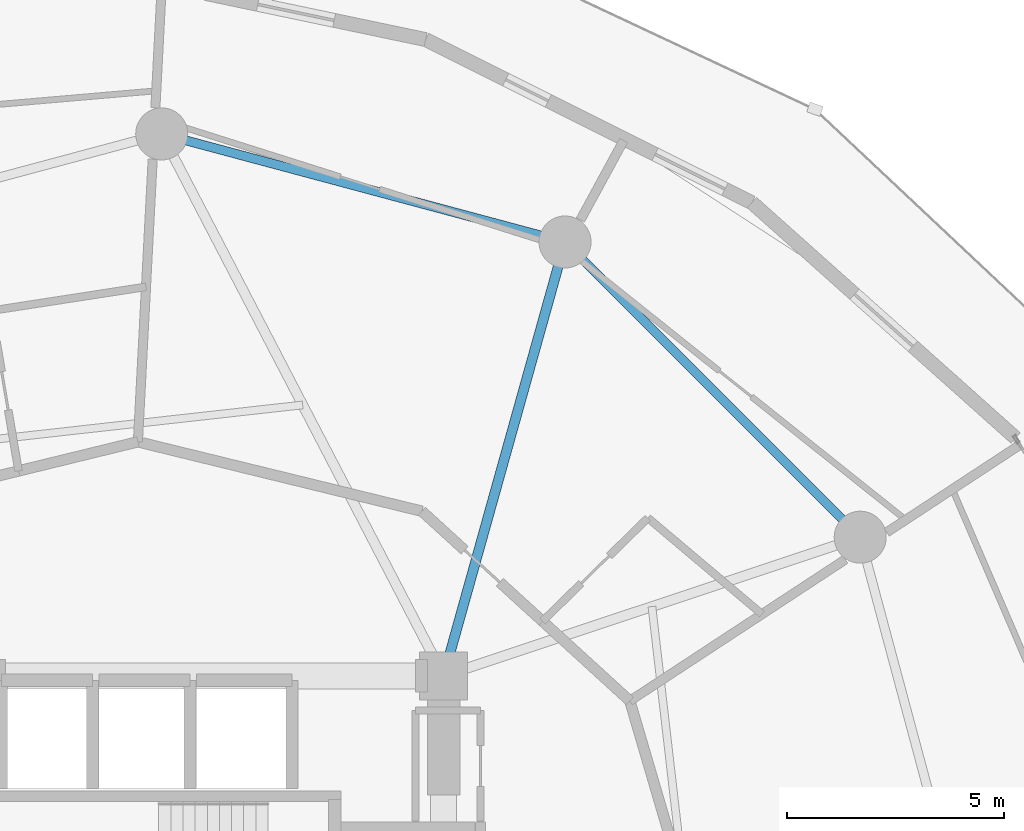
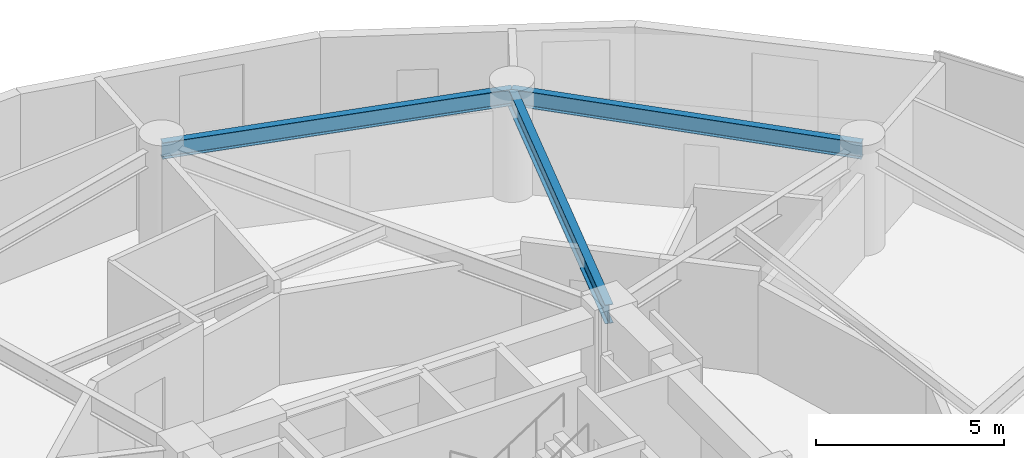
# One storey, part 18 of 26: 3 beams.
"""IFC4 building model written with IfcOpenShell, lengths in metres."""

from ifc_helpers import new_model, si_unit, direction, frame, origin, origin_2d, place, context, subcontext, project, spatial, i_section, extrude, material, material_profile, profile_set, type_object, element, save


model = new_model("IFC4")

# Units and contexts
model_context = context("Model", 3, precision=1e-05, world=origin(), true_north=direction((0.0, 1.0)))
body_context = subcontext(model_context, "Body", "Model", "MODEL_VIEW")
ifc_project = project(units=[si_unit("LENGTHUNIT", "METRE"), si_unit("AREAUNIT", "SQUARE_METRE"), si_unit("VOLUMEUNIT", "CUBIC_METRE"), si_unit("PLANEANGLEUNIT", "RADIAN"), si_unit("MASSUNIT", "GRAM", prefix="KILO")], contexts=[model_context])

# Site, building, storey
site_placement = place(None, origin())
site = spatial("IfcSite", under=ifc_project, at=site_placement, CompositionType="ELEMENT")
building_placement = place(site_placement, origin())
building = spatial("IfcBuilding", under=site, at=building_placement, Name="Solvirekh Grand Hotel", CompositionType="ELEMENT")
storey_placement = place(building_placement, frame((0.0, 0.0, 71.60009765625)))
storey = spatial("IfcBuildingStorey", under=building, at=storey_placement, Name="L17", CompositionType="ELEMENT", Elevation=71.60009765625)

# Beams
ifc_material = material(Name="Steel S355", Category="steel")
ifc_material_profile_1 = material_profile(ifc_material, i_section(OverallWidth=0.22802734375, OverallDepth=0.616943359375, WebThickness=0.012939453125, FlangeThickness=0.02001953125, FilletRadius=0.014892578125, at=origin_2d()), Name="W610X140")
ifc_profile_set_1 = profile_set([ifc_material_profile_1], Name="Steel S355")
beam_type_1 = type_object("IfcBeamType", Name="Beam_Radial_W610", PredefinedType="BEAM", material=ifc_profile_set_1)
beam_1_placement = place(storey_placement, frame((6.5, 6.10009765625, 3.031982421875), z_axis=(0.269439084681, 0.963017434757, 0.0), x_axis=(-0.963017434757, 0.269439084681, 0.0)))
element("IfcBeam", 1, at=beam_1_placement, inside=storey, type_object=beam_type_1, Name="L17 radial floor beam R03", PredefinedType="BEAM", context=body_context, shape_type="SweptSolid", body=[
    extrude(i_section(OverallWidth=0.22802734375, OverallDepth=0.616943359375, WebThickness=0.012939453125, FlangeThickness=0.02001953125, FilletRadius=0.014892578125, at=origin_2d()), origin(), (0.0, 0.0, 1.0), 10.39208984375),
])
ifc_material_profile_2 = material_profile(ifc_material, i_section(OverallWidth=0.208984375, OverallDepth=0.532958984375, WebThickness=0.010009765625, FlangeThickness=0.014892578125, FilletRadius=0.013916015625, at=origin_2d()), Name="W530X92")
ifc_profile_set_2 = profile_set([ifc_material_profile_2], Name="Steel S355")
beam_type_2 = type_object("IfcBeamType", Name="Spandrel_Ring_W530", PredefinedType="SPANDREL", material=ifc_profile_set_2)
beam_2_placement = place(storey_placement, frame((16.10791015625, 9.300048828125, 3.073974609375), z_axis=(-0.707106781187, 0.707106781187, 0.0), x_axis=(-0.707106781187, -0.707106781187, 0.0)))
element("IfcBeam", 2, at=beam_2_placement, inside=storey, type_object=beam_type_2, Name="L17 perimeter spandrel beam 2", PredefinedType="SPANDREL", context=body_context, shape_type="SweptSolid", body=[
    extrude(i_section(OverallWidth=0.208984375, OverallDepth=0.532958984375, WebThickness=0.010009765625, FlangeThickness=0.014892578125, FilletRadius=0.013916015625, at=origin_2d()), origin(), (0.0, 0.0, 1.0), 9.627685546875),
])
beam_3_placement = place(storey_placement, frame((9.300048828125, 16.10791015625, 3.073974609375), z_axis=(-0.965919414426, 0.258842973314, 0.0), x_axis=(-0.258842973314, -0.965919414426, 0.0)))
element("IfcBeam", 3, at=beam_3_placement, inside=storey, type_object=beam_type_2, Name="L17 perimeter spandrel beam 3", PredefinedType="SPANDREL", context=body_context, shape_type="SweptSolid", body=[
    extrude(i_section(OverallWidth=0.208984375, OverallDepth=0.532958984375, WebThickness=0.010009765625, FlangeThickness=0.014892578125, FilletRadius=0.013916015625, at=origin_2d()), origin(), (0.0, 0.0, 1.0), 9.628173828125),
])

save(model, "model.ifc")
